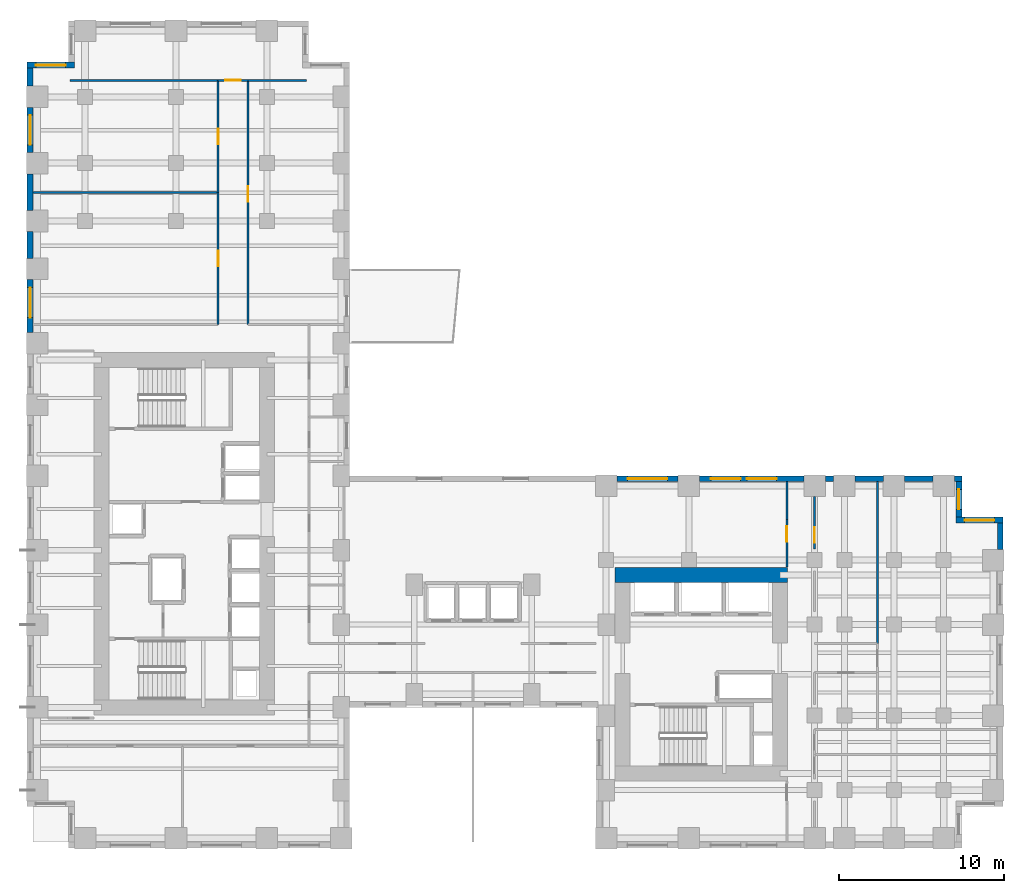
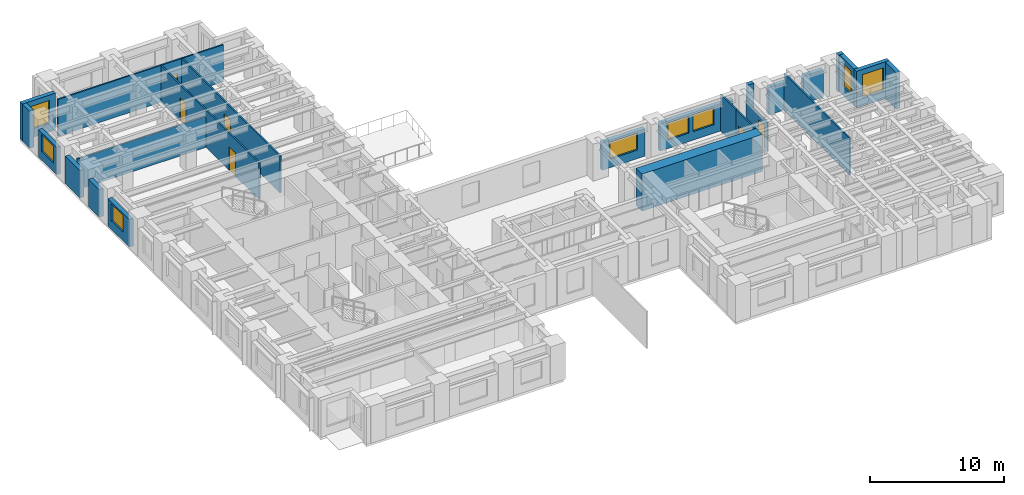
# One storey, part 8 of 11: 27 walls, 8 windows, 6 doors, 14 openings.
"""IFC4 building model written with IfcOpenShell, lengths in metres."""

from ifc_helpers import new_model, si_unit, direction, frame, frame_2d, origin, place, context, subcontext, project, spatial, rectangle, extrude, source, transform, mapped, material, layer, layer_set, type_object, element, fill, save


model = new_model("IFC4")

# Units and contexts
model_context = context("Model", 3, precision=1e-05, world=origin(), true_north=direction((0.0, 1.0)))
body_context = subcontext(model_context, "Body", "Model", "MODEL_VIEW")
ifc_project = project(units=[si_unit("LENGTHUNIT", "METRE"), si_unit("AREAUNIT", "SQUARE_METRE"), si_unit("VOLUMEUNIT", "CUBIC_METRE"), si_unit("PLANEANGLEUNIT", "RADIAN"), si_unit("MASSUNIT", "GRAM", prefix="KILO")], contexts=[model_context])

# Site, building, storey
site_placement = place(None, origin())
site = spatial("IfcSite", under=ifc_project, at=site_placement, CompositionType="ELEMENT")
building_placement = place(site_placement, origin())
building = spatial("IfcBuilding", under=site, at=building_placement, Name="Kharzan Plaza Tower", CompositionType="ELEMENT")
storey_placement = place(building_placement, frame((0.0, 0.0, 40.5)))
storey = spatial("IfcBuildingStorey", under=building, at=storey_placement, Name="L10", CompositionType="ELEMENT", Elevation=40.5)

# Wall, opening, window
ifc_material_1 = material(Name="Concrete C40/50", Category="concrete")
ifc_layer_1 = layer(ifc_material_1, 0.35009765625)
ifc_layer_set_1 = layer_set([ifc_layer_1], Name="Concrete C40/50")
wall_type_1 = type_object("IfcWallType", Name="WL-EXT-MAS-Z1", PredefinedType="SOLIDWALL", material=ifc_layer_set_1)
wall_1_placement = place(storey_placement, frame((2.85009765625, 47.324951171875, 0.0), z_axis=(0.0, 0.0, 1.0), x_axis=(-1.0, 0.0, 0.0)))
wall_1 = element("IfcWall", 1, at=wall_1_placement, inside=storey, type_object=wall_type_1, Name="L10 Masonry-Frame Exterior Wall 08", PredefinedType="SOLIDWALL", context=body_context, shape_type="SweptSolid", body=[
    extrude(rectangle(XDim=2.85009765625, YDim=0.35009765625, at=frame_2d((1.425048828125, 0.0))), origin(), (0.0, 0.0, 1.0), 3.364990234375),
])
opening_1_placement = place(wall_1_placement, frame((0.52490234375, 0.0, 0.780029296875)))
opening_1 = element("IfcOpeningElement", 2, at=opening_1_placement, cuts=wall_1, Name="Opening W1", PredefinedType="OPENING", context=body_context, shape_type="SweptSolid", body=[
    extrude(rectangle(XDim=1.800048828125, YDim=2.10009765625, at=frame_2d((0.89990234375, 1.050048828125))), frame((0.0, 0.18505859375, 0.0), z_axis=(0.0, -1.0, 0.0), x_axis=(1.0, 0.0, 0.0)), (0.0, 0.0, 1.0), 0.3701171875),
])
ifc_material_2 = material(Name="Low-E Double Glazing", Category="glass")
window_type_1 = type_object("IfcWindowType", Name="WN-REC-1800x2100", PartitioningType="SINGLE_PANEL", PredefinedType="WINDOW", material=ifc_material_2)
shared_shape_1 = source(origin(), body_context, "Body", "SweptSolid", [
    extrude(rectangle(XDim=1.800048828125, YDim=2.10009765625, at=frame_2d((0.89990234375, 1.050048828125))), frame((0.0, 0.030029296875, 0.0), z_axis=(0.0, -1.0, 0.0), x_axis=(1.0, 0.0, 0.0)), (0.0, 0.0, 1.0), 0.06005859375),
])
window_1_placement = place(opening_1_placement, origin())
window_1 = element("IfcWindow", 3, at=window_1_placement, inside=storey, type_object=window_type_1, Name="L10 Recessed Solar-Control Window 08-1", OverallHeight=2.10009765625, OverallWidth=1.800048828125, PartitioningType="SINGLE_PANEL", PredefinedType="WINDOW", context=body_context, shape_type="MappedRepresentation", body=[
    mapped(shared_shape_1, transform((0.0, 0.0, 0.0), x_axis=(1.0, 0.0, 0.0), y_axis=(0.0, 1.0, 0.0), z_axis=(0.0, 0.0, 1.0))),
])
fill(opening_1, window_1)

wall_2_placement = place(storey_placement, frame((0.175048828125, 44.751953125, 0.0), z_axis=(0.0, 0.0, 1.0), x_axis=(0.0, -1.0, 0.0)))
wall_2 = element("IfcWall", 4, at=wall_2_placement, inside=storey, type_object=wall_type_1, Name="L10 Masonry-Frame Exterior Wall 10", PredefinedType="SOLIDWALL", context=body_context, shape_type="SweptSolid", body=[
    extrude(rectangle(XDim=2.703857421875, YDim=0.35009765625, at=frame_2d((1.35205078125, 0.0))), origin(), (0.0, 0.0, 1.0), 2.510009765625),
])
opening_2_placement = place(wall_2_placement, frame((0.451904296875, 0.0, 0.780029296875)))
opening_2 = element("IfcOpeningElement", 5, at=opening_2_placement, cuts=wall_2, Name="Opening W1", PredefinedType="OPENING", context=body_context, shape_type="SweptSolid", body=[
    extrude(rectangle(XDim=1.800048828125, YDim=1.550048828125, at=frame_2d((0.89990234375, 0.77490234375))), frame((0.0, 0.18505859375, 0.0), z_axis=(0.0, -1.0, 0.0), x_axis=(1.0, 0.0, 0.0)), (0.0, 0.0, 1.0), 0.3701171875),
])
shared_shape_2 = source(origin(), body_context, "Body", "SweptSolid", [
    extrude(rectangle(XDim=1.800048828125, YDim=1.550048828125, at=frame_2d((0.89990234375, 0.77490234375))), frame((0.0, 0.030029296875, 0.0), z_axis=(0.0, -1.0, 0.0), x_axis=(1.0, 0.0, 0.0)), (0.0, 0.0, 1.0), 0.06005859375),
])
window_2_placement = place(opening_2_placement, origin())
window_2 = element("IfcWindow", 6, at=window_2_placement, inside=storey, type_object=window_type_1, Name="L10 Recessed Solar-Control Window 10-1", OverallHeight=1.550048828125, OverallWidth=1.800048828125, PartitioningType="SINGLE_PANEL", PredefinedType="WINDOW", context=body_context, shape_type="MappedRepresentation", body=[
    mapped(shared_shape_2, transform((0.0, 0.0, 0.0), x_axis=(1.0, 0.0, 0.0), y_axis=(0.0, 1.0, 0.0), z_axis=(0.0, 0.0, 1.0))),
])
fill(opening_2, window_2)

wall_3_placement = place(storey_placement, frame((0.175048828125, 34.35205078125, 0.0), z_axis=(0.0, 0.0, 1.0), x_axis=(0.0, -1.0, 0.0)))
wall_3 = element("IfcWall", 7, at=wall_3_placement, inside=storey, type_object=wall_type_1, Name="L10 Masonry-Frame Exterior Wall 13", PredefinedType="SOLIDWALL", context=body_context, shape_type="SweptSolid", body=[
    extrude(rectangle(XDim=3.2041015625, YDim=0.35009765625, at=frame_2d((1.60205078125, 0.0))), origin(), (0.0, 0.0, 1.0), 2.510009765625),
])
opening_3_placement = place(wall_3_placement, frame((0.486083984375, 0.0, 0.780029296875)))
opening_3 = element("IfcOpeningElement", 8, at=opening_3_placement, cuts=wall_3, Name="Opening W1", PredefinedType="OPENING", context=body_context, shape_type="SweptSolid", body=[
    extrude(rectangle(XDim=1.800048828125, YDim=1.550048828125, at=frame_2d((0.89990234375, 0.77490234375))), frame((0.0, 0.18505859375, 0.0), z_axis=(0.0, -1.0, 0.0), x_axis=(1.0, 0.0, 0.0)), (0.0, 0.0, 1.0), 0.3701171875),
])
window_3_placement = place(opening_3_placement, origin())
window_3 = element("IfcWindow", 9, at=window_3_placement, inside=storey, type_object=window_type_1, Name="L10 Recessed Solar-Control Window 13-1", OverallHeight=1.550048828125, OverallWidth=1.800048828125, PartitioningType="SINGLE_PANEL", PredefinedType="WINDOW", context=body_context, shape_type="MappedRepresentation", body=[
    mapped(shared_shape_2, transform((0.0, 0.0, 0.0), x_axis=(1.0, 0.0, 0.0), y_axis=(0.0, 1.0, 0.0), z_axis=(0.0, 0.0, 1.0))),
])
fill(opening_3, window_3)

wall_4_placement = place(storey_placement, frame((59.0, 19.824951171875, 0.0), z_axis=(0.0, 0.0, 1.0), x_axis=(-1.0, 0.0, 0.0)))
wall_4 = element("IfcWall", 10, at=wall_4_placement, inside=storey, type_object=wall_type_1, Name="L10 Masonry-Frame Exterior Wall 45", PredefinedType="SOLIDWALL", context=body_context, shape_type="SweptSolid", body=[
    extrude(rectangle(XDim=2.85009765625, YDim=0.35009765625, at=frame_2d((1.425048828125, 0.0))), origin(), (0.0, 0.0, 1.0), 3.364990234375),
])
opening_4_placement = place(wall_4_placement, frame((0.52490234375, 0.0, 0.780029296875)))
opening_4 = element("IfcOpeningElement", 11, at=opening_4_placement, cuts=wall_4, Name="Opening W1", PredefinedType="OPENING", context=body_context, shape_type="SweptSolid", body=[
    extrude(rectangle(XDim=1.800048828125, YDim=2.10009765625, at=frame_2d((0.89990234375, 1.050048828125))), frame((0.0, 0.18505859375, 0.0), z_axis=(0.0, -1.0, 0.0), x_axis=(1.0, 0.0, 0.0)), (0.0, 0.0, 1.0), 0.3701171875),
])
window_4_placement = place(opening_4_placement, origin())
window_4 = element("IfcWindow", 12, at=window_4_placement, inside=storey, type_object=window_type_1, Name="L10 Recessed Solar-Control Window 45-1", OverallHeight=2.10009765625, OverallWidth=1.800048828125, PartitioningType="SINGLE_PANEL", PredefinedType="WINDOW", context=body_context, shape_type="MappedRepresentation", body=[
    mapped(shared_shape_1, transform((0.0, 0.0, 0.0), x_axis=(1.0, 0.0, 0.0), y_axis=(0.0, 1.0, 0.0), z_axis=(0.0, 0.0, 1.0))),
])
fill(opening_4, window_4)

wall_5_placement = place(storey_placement, frame((56.324951171875, 19.998046875, 0.0), z_axis=(0.0, 0.0, 1.0), x_axis=(0.0, 1.0, 0.0)))
wall_5 = element("IfcWall", 13, at=wall_5_placement, inside=storey, type_object=wall_type_1, Name="L10 Masonry-Frame Exterior Wall 46", PredefinedType="SOLIDWALL", context=body_context, shape_type="SweptSolid", body=[
    extrude(rectangle(XDim=2.154052734375, YDim=0.35009765625, at=frame_2d((1.0771484375, 0.0))), origin(), (0.0, 0.0, 1.0), 3.364990234375),
])
opening_5_placement = place(wall_5_placement, frame((0.47705078125, 0.0, 0.780029296875)))
opening_5 = element("IfcOpeningElement", 14, at=opening_5_placement, cuts=wall_5, Name="Opening W3", PredefinedType="OPENING", context=body_context, shape_type="SweptSolid", body=[
    extrude(rectangle(XDim=1.199951171875, YDim=2.10009765625, at=frame_2d((0.60009765625, 1.050048828125))), frame((0.0, 0.18505859375, 0.0), z_axis=(0.0, -1.0, 0.0), x_axis=(1.0, 0.0, 0.0)), (0.0, 0.0, 1.0), 0.3701171875),
])
window_type_2 = type_object("IfcWindowType", Name="WN-REC-1200x2100", PartitioningType="SINGLE_PANEL", PredefinedType="WINDOW", material=ifc_material_2)
shared_shape_3 = source(origin(), body_context, "Body", "SweptSolid", [
    extrude(rectangle(XDim=1.199951171875, YDim=2.10009765625, at=frame_2d((0.60009765625, 1.050048828125))), frame((0.0, 0.030029296875, 0.0), z_axis=(0.0, -1.0, 0.0), x_axis=(1.0, 0.0, 0.0)), (0.0, 0.0, 1.0), 0.06005859375),
])
window_5_placement = place(opening_5_placement, origin())
window_5 = element("IfcWindow", 15, at=window_5_placement, inside=storey, type_object=window_type_2, Name="L10 Recessed Solar-Control Window 46-1", OverallHeight=2.10009765625, OverallWidth=1.199951171875, PartitioningType="SINGLE_PANEL", PredefinedType="WINDOW", context=body_context, shape_type="MappedRepresentation", body=[
    mapped(shared_shape_3, transform((0.0, 0.0, 0.0), x_axis=(1.0, 0.0, 0.0), y_axis=(0.0, 1.0, 0.0), z_axis=(0.0, 0.0, 1.0))),
])
fill(opening_5, window_5)

# Wall, openings, windows
wall_6_placement = place(storey_placement, frame((46.951904296875, 22.324951171875, 0.0), z_axis=(0.0, 0.0, 1.0), x_axis=(-1.0, 0.0, 0.0)))
wall_6 = element("IfcWall", 16, at=wall_6_placement, inside=storey, type_object=wall_type_1, Name="L10 Masonry-Frame Exterior Wall 51", PredefinedType="SOLIDWALL", context=body_context, shape_type="SweptSolid", body=[
    extrude(rectangle(XDim=6.303955078125, YDim=0.35009765625, at=frame_2d((3.15185546875, 0.0))), origin(), (0.0, 0.0, 1.0), 2.510009765625),
])
opening_6_placement = place(wall_6_placement, frame((1.6494140625, 0.0, 0.780029296875)))
opening_6 = element("IfcOpeningElement", 17, at=opening_6_placement, cuts=wall_6, Name="Opening W1", PredefinedType="OPENING", context=body_context, shape_type="SweptSolid", body=[
    extrude(rectangle(XDim=1.800048828125, YDim=1.550048828125, at=frame_2d((0.89990234375, 0.77490234375))), frame((0.0, 0.18505859375, 0.0), z_axis=(0.0, -1.0, 0.0), x_axis=(1.0, 0.0, 0.0)), (0.0, 0.0, 1.0), 0.3701171875),
])
opening_7_placement = place(wall_6_placement, frame((3.816650390625, 0.0, 0.780029296875)))
opening_7 = element("IfcOpeningElement", 18, at=opening_7_placement, cuts=wall_6, Name="Opening W1", PredefinedType="OPENING", context=body_context, shape_type="SweptSolid", body=[
    extrude(rectangle(XDim=1.800048828125, YDim=1.550048828125, at=frame_2d((0.89990234375, 0.77490234375))), frame((0.0, 0.18505859375, 0.0), z_axis=(0.0, -1.0, 0.0), x_axis=(1.0, 0.0, 0.0)), (0.0, 0.0, 1.0), 0.3701171875),
])
window_6_placement = place(opening_6_placement, origin())
window_6 = element("IfcWindow", 19, at=window_6_placement, inside=storey, type_object=window_type_1, Name="L10 Recessed Solar-Control Window 51-1", OverallHeight=1.550048828125, OverallWidth=1.800048828125, PartitioningType="SINGLE_PANEL", PredefinedType="WINDOW", context=body_context, shape_type="MappedRepresentation", body=[
    mapped(shared_shape_2, transform((0.0, 0.0, 0.0), x_axis=(1.0, 0.0, 0.0), y_axis=(0.0, 1.0, 0.0), z_axis=(0.0, 0.0, 1.0))),
])
fill(opening_6, window_6)
window_7_placement = place(opening_7_placement, origin())
window_7 = element("IfcWindow", 20, at=window_7_placement, inside=storey, type_object=window_type_1, Name="L10 Recessed Solar-Control Window 51-2", OverallHeight=1.550048828125, OverallWidth=1.800048828125, PartitioningType="SINGLE_PANEL", PredefinedType="WINDOW", context=body_context, shape_type="MappedRepresentation", body=[
    mapped(shared_shape_2, transform((0.0, 0.0, 0.0), x_axis=(1.0, 0.0, 0.0), y_axis=(0.0, 1.0, 0.0), z_axis=(0.0, 0.0, 1.0))),
])
fill(opening_7, window_7)

# Wall, opening, window
wall_7_placement = place(storey_placement, frame((39.35205078125, 22.324951171875, 0.0), z_axis=(0.0, 0.0, 1.0), x_axis=(-1.0, 0.0, 0.0)))
wall_7 = element("IfcWall", 21, at=wall_7_placement, inside=storey, type_object=wall_type_1, Name="L10 Masonry-Frame Exterior Wall 52", PredefinedType="SOLIDWALL", context=body_context, shape_type="SweptSolid", body=[
    extrude(rectangle(XDim=3.7041015625, YDim=0.35009765625, at=frame_2d((1.85205078125, 0.0))), origin(), (0.0, 0.0, 1.0), 2.510009765625),
])
opening_8_placement = place(wall_7_placement, frame((0.652099609375, 0.0, 0.780029296875)))
opening_8 = element("IfcOpeningElement", 22, at=opening_8_placement, cuts=wall_7, Name="Opening W2", PredefinedType="OPENING", context=body_context, shape_type="SweptSolid", body=[
    extrude(rectangle(XDim=2.39990234375, YDim=1.550048828125, at=frame_2d((1.199951171875, 0.77490234375))), frame((0.0, 0.18505859375, 0.0), z_axis=(0.0, -1.0, 0.0), x_axis=(1.0, 0.0, 0.0)), (0.0, 0.0, 1.0), 0.3701171875),
])
window_type_3 = type_object("IfcWindowType", Name="WN-REC-2400x2100", PartitioningType="SINGLE_PANEL", PredefinedType="WINDOW", material=ifc_material_2)
shared_shape_4 = source(origin(), body_context, "Body", "SweptSolid", [
    extrude(rectangle(XDim=2.39990234375, YDim=1.550048828125, at=frame_2d((1.199951171875, 0.77490234375))), frame((0.0, 0.030029296875, 0.0), z_axis=(0.0, -1.0, 0.0), x_axis=(1.0, 0.0, 0.0)), (0.0, 0.0, 1.0), 0.06005859375),
])
window_8_placement = place(opening_8_placement, origin())
window_8 = element("IfcWindow", 23, at=window_8_placement, inside=storey, type_object=window_type_3, Name="L10 Wide Recessed Solar-Control Window 52-1", OverallHeight=1.550048828125, OverallWidth=2.39990234375, PartitioningType="SINGLE_PANEL", PredefinedType="WINDOW", context=body_context, shape_type="MappedRepresentation", body=[
    mapped(shared_shape_4, transform((0.0, 0.0, 0.0), x_axis=(1.0, 0.0, 0.0), y_axis=(0.0, 1.0, 0.0), z_axis=(0.0, 0.0, 1.0))),
])
fill(opening_8, window_8)

# Wall, opening, door
ifc_material_3 = material(Name="Fire-Rated Gypsum Board Partition", Category="gypsum")
ifc_layer_2 = layer(ifc_material_3, 0.125)
ifc_layer_set_2 = layer_set([ifc_layer_2], Name="Fire-Rated Gypsum Board Partition")
wall_type_2 = type_object("IfcWallType", Name="WL-INT-PART-125", PredefinedType="PARTITIONING", material=ifc_layer_set_2)
wall_8_placement = place(storey_placement, frame((47.60009765625, 18.06005859375, 0.0), z_axis=(0.0, 0.0, 1.0), x_axis=(0.0, 1.0, 0.0)))
wall_8 = element("IfcWall", 24, at=wall_8_placement, inside=storey, type_object=wall_type_2, Name="L10 Interior Partition SH-B2W3D-S2", PredefinedType="PARTITIONING", context=body_context, shape_type="SweptSolid", body=[
    extrude(rectangle(XDim=3.179931640625, YDim=0.125, at=frame_2d((1.58984375, 0.0))), origin(), (0.0, 0.0, 1.0), 2.669921875),
])
opening_9_placement = place(wall_8_placement, frame((0.3876953125, 0.0, 0.0)))
opening_9 = element("IfcOpeningElement", 25, at=opening_9_placement, cuts=wall_8, Name="Opening OD1", PredefinedType="OPENING", context=body_context, shape_type="SweptSolid", body=[
    extrude(rectangle(XDim=0.949951171875, YDim=2.14990234375, at=frame_2d((0.47509765625, 1.074951171875))), frame((0.0, 0.072509765625, 0.0), z_axis=(0.0, -1.0, 0.0), x_axis=(1.0, 0.0, 0.0)), (0.0, 0.0, 1.0), 0.14501953125),
])
ifc_material_4 = material(Name="Acoustic Solid-Core Stained Oak", Category="timber")
door_type = type_object("IfcDoorType", Name="DR-OFF-SINGLE", OperationType="NOTDEFINED", PredefinedType="DOOR", material=ifc_material_4)
shared_shape_5 = source(origin(), body_context, "Body", "SweptSolid", [
    extrude(rectangle(XDim=0.949951171875, YDim=2.14990234375, at=frame_2d((0.47509765625, 1.074951171875))), frame((0.0, 0.02490234375, 0.0), z_axis=(0.0, -1.0, 0.0), x_axis=(1.0, 0.0, 0.0)), (0.0, 0.0, 1.0), 0.050048828125),
])
door_1_placement = place(opening_9_placement, origin())
door_1 = element("IfcDoor", 26, at=door_1_placement, inside=storey, type_object=door_type, Name="L10 Spur North Office Door", OperationType="SINGLE_SWING_RIGHT", OverallHeight=2.14990234375, OverallWidth=0.949951171875, PredefinedType="DOOR", context=body_context, shape_type="MappedRepresentation", body=[
    mapped(shared_shape_5, transform((0.0, 0.0, 0.0), x_axis=(1.0, 0.0, 0.0), y_axis=(0.0, 1.0, 0.0), z_axis=(0.0, 0.0, 1.0))),
])
fill(opening_9, door_1)

wall_9_placement = place(storey_placement, frame((45.919921875, 16.97998046875, 0.0), z_axis=(0.0, 0.0, 1.0), x_axis=(0.0, 1.0, 0.0)))
wall_9 = element("IfcWall", 27, at=wall_9_placement, inside=storey, type_object=wall_type_2, Name="L10 Interior Partition SH-RBNE", PredefinedType="PARTITIONING", context=body_context, shape_type="SweptSolid", body=[
    extrude(rectangle(XDim=2.8701171875, YDim=0.125, at=frame_2d((1.43505859375, 0.0))), origin(), (0.0, 0.0, 1.0), 3.364990234375),
])
opening_10_placement = place(wall_9_placement, frame((1.51708984375, 0.0, 0.0)))
opening_10 = element("IfcOpeningElement", 28, at=opening_10_placement, cuts=wall_9, Name="Opening OD1", PredefinedType="OPENING", context=body_context, shape_type="SweptSolid", body=[
    extrude(rectangle(XDim=0.949951171875, YDim=2.14990234375, at=frame_2d((0.47509765625, 1.074951171875))), frame((0.0, 0.072509765625, 0.0), z_axis=(0.0, -1.0, 0.0), x_axis=(1.0, 0.0, 0.0)), (0.0, 0.0, 1.0), 0.14501953125),
])
door_2_placement = place(opening_10_placement, origin())
door_2 = element("IfcDoor", 29, at=door_2_placement, inside=storey, type_object=door_type, Name="L10 Wing B North Studio Door", OperationType="SINGLE_SWING_RIGHT", OverallHeight=2.14990234375, OverallWidth=0.949951171875, PredefinedType="DOOR", context=body_context, shape_type="MappedRepresentation", body=[
    mapped(shared_shape_5, transform((0.0, 0.0, 0.0), x_axis=(1.0, 0.0, 0.0), y_axis=(0.0, 1.0, 0.0), z_axis=(0.0, 0.0, 1.0))),
])
fill(opening_10, door_2)

wall_10_placement = place(storey_placement, frame((13.35009765625, 31.64990234375, 0.0), z_axis=(0.0, 0.0, 1.0), x_axis=(0.0, 1.0, 0.0)))
wall_10 = element("IfcWall", 30, at=wall_10_placement, inside=storey, type_object=wall_type_2, Name="L10 Interior Partition SH-SPE-1", PredefinedType="PARTITIONING", context=body_context, shape_type="SweptSolid", body=[
    extrude(rectangle(XDim=14.75, YDim=0.125, at=frame_2d((7.375, 0.0))), origin(), (0.0, 0.0, 1.0), 3.364990234375),
])
opening_11_placement = place(wall_10_placement, frame((7.401611328125, 0.0, 0.0)))
opening_11 = element("IfcOpeningElement", 31, at=opening_11_placement, cuts=wall_10, Name="Opening OD1", PredefinedType="OPENING", context=body_context, shape_type="SweptSolid", body=[
    extrude(rectangle(XDim=0.949951171875, YDim=2.14990234375, at=frame_2d((0.47509765625, 1.074951171875))), frame((0.0, 0.072509765625, 0.0), z_axis=(0.0, -1.0, 0.0), x_axis=(1.0, 0.0, 0.0)), (0.0, 0.0, 1.0), 0.14501953125),
])
door_3_placement = place(opening_11_placement, origin())
door_3 = element("IfcDoor", 32, at=door_3_placement, inside=storey, type_object=door_type, Name="L10 Joint-Venture Negotiation Room Door", OperationType="SINGLE_SWING_RIGHT", OverallHeight=2.14990234375, OverallWidth=0.949951171875, PredefinedType="DOOR", context=body_context, shape_type="MappedRepresentation", body=[
    mapped(shared_shape_5, transform((0.0, 0.0, 0.0), x_axis=(1.0, 0.0, 0.0), y_axis=(0.0, 1.0, 0.0), z_axis=(0.0, 0.0, 1.0))),
])
fill(opening_11, door_3)

wall_11_placement = place(storey_placement, frame((11.550048828125, 46.39990234375, 0.0), z_axis=(0.0, 0.0, 1.0), x_axis=(1.0, 0.0, 0.0)))
wall_11 = element("IfcWall", 33, at=wall_11_placement, inside=storey, type_object=wall_type_2, Name="L10 Interior Partition SH-SPHD", PredefinedType="PARTITIONING", context=body_context, shape_type="SweptSolid", body=[
    extrude(rectangle(XDim=1.800048828125, YDim=0.125, at=frame_2d((0.89990234375, 0.0))), origin(), (0.0, 0.0, 1.0), 3.364990234375),
])
opening_12_placement = place(wall_11_placement, frame((0.425048828125, 0.0, 0.0)))
opening_12 = element("IfcOpeningElement", 34, at=opening_12_placement, cuts=wall_11, Name="Opening OD1", PredefinedType="OPENING", context=body_context, shape_type="SweptSolid", body=[
    extrude(rectangle(XDim=0.949951171875, YDim=2.14990234375, at=frame_2d((0.47509765625, 1.074951171875))), frame((0.0, 0.072509765625, 0.0), z_axis=(0.0, -1.0, 0.0), x_axis=(1.0, 0.0, 0.0)), (0.0, 0.0, 1.0), 0.14501953125),
])
door_4_placement = place(opening_12_placement, origin())
door_4 = element("IfcDoor", 35, at=door_4_placement, inside=storey, type_object=door_type, Name="L10 North Boardroom Door", OperationType="SINGLE_SWING_LEFT", OverallHeight=2.14990234375, OverallWidth=0.949951171875, PredefinedType="DOOR", context=body_context, shape_type="MappedRepresentation", body=[
    mapped(shared_shape_5, transform((0.0, 0.0, 0.0), x_axis=(1.0, 0.0, 0.0), y_axis=(0.0, 1.0, 0.0), z_axis=(0.0, 0.0, 1.0))),
])
fill(opening_12, door_4)

wall_12_placement = place(storey_placement, frame((11.550048828125, 31.64990234375, 0.0), z_axis=(0.0, 0.0, 1.0), x_axis=(0.0, 1.0, 0.0)))
wall_12 = element("IfcWall", 36, at=wall_12_placement, inside=storey, type_object=wall_type_2, Name="L10 Interior Partition SH-SPW-1", PredefinedType="PARTITIONING", context=body_context, shape_type="SweptSolid", body=[
    extrude(rectangle(XDim=7.965087890625, YDim=0.125, at=frame_2d((3.982421875, 0.0))), origin(), (0.0, 0.0, 1.0), 3.364990234375),
])
opening_13_placement = place(wall_12_placement, frame((3.507568359375, 0.0, 0.0)))
opening_13 = element("IfcOpeningElement", 37, at=opening_13_placement, cuts=wall_12, Name="Opening OD1", PredefinedType="OPENING", context=body_context, shape_type="SweptSolid", body=[
    extrude(rectangle(XDim=0.949951171875, YDim=2.14990234375, at=frame_2d((0.47509765625, 1.074951171875))), frame((0.0, 0.072509765625, 0.0), z_axis=(0.0, -1.0, 0.0), x_axis=(1.0, 0.0, 0.0)), (0.0, 0.0, 1.0), 0.14501953125),
])
door_5_placement = place(opening_13_placement, origin())
door_5 = element("IfcDoor", 38, at=door_5_placement, inside=storey, type_object=door_type, Name="L10 Client Advisory Meeting Room Door", OperationType="SINGLE_SWING_RIGHT", OverallHeight=2.14990234375, OverallWidth=0.949951171875, PredefinedType="DOOR", context=body_context, shape_type="MappedRepresentation", body=[
    mapped(shared_shape_5, transform((0.0, 0.0, 0.0), x_axis=(1.0, 0.0, 0.0), y_axis=(0.0, 1.0, 0.0), z_axis=(0.0, 0.0, 1.0))),
])
fill(opening_13, door_5)

wall_13_placement = place(storey_placement, frame((11.550048828125, 39.614990234375, 0.0), z_axis=(0.0, 0.0, 1.0), x_axis=(0.0, 1.0, 0.0)))
wall_13 = element("IfcWall", 39, at=wall_13_placement, inside=storey, type_object=wall_type_2, Name="L10 Interior Partition SH-SPW-2", PredefinedType="PARTITIONING", context=body_context, shape_type="SweptSolid", body=[
    extrude(rectangle(XDim=6.784912109375, YDim=0.125, at=frame_2d((3.392578125, 0.0))), origin(), (0.0, 0.0, 1.0), 3.364990234375),
])
opening_14_placement = place(wall_13_placement, frame((2.91748046875, 0.0, 0.0)))
opening_14 = element("IfcOpeningElement", 40, at=opening_14_placement, cuts=wall_13, Name="Opening OD1", PredefinedType="OPENING", context=body_context, shape_type="SweptSolid", body=[
    extrude(rectangle(XDim=0.949951171875, YDim=2.14990234375, at=frame_2d((0.47509765625, 1.074951171875))), frame((0.0, 0.072509765625, 0.0), z_axis=(0.0, -1.0, 0.0), x_axis=(1.0, 0.0, 0.0)), (0.0, 0.0, 1.0), 0.14501953125),
])
door_6_placement = place(opening_14_placement, origin())
door_6 = element("IfcDoor", 41, at=door_6_placement, inside=storey, type_object=door_type, Name="L10 Client Advisory Meeting Room Door", OperationType="SINGLE_SWING_LEFT", OverallHeight=2.14990234375, OverallWidth=0.949951171875, PredefinedType="DOOR", context=body_context, shape_type="MappedRepresentation", body=[
    mapped(shared_shape_5, transform((0.0, 0.0, 0.0), x_axis=(1.0, 0.0, 0.0), y_axis=(0.0, 1.0, 0.0), z_axis=(0.0, 0.0, 1.0))),
])
fill(opening_14, door_6)

# Walls
ifc_material_5 = material(Name="Concrete C60/75", Category="concrete")
ifc_layer_3 = layer(ifc_material_5, 0.89990234375)
ifc_layer_set_3 = layer_set([ifc_layer_3], Name="Concrete C60/75")
wall_type_3 = type_object("IfcWallType", Name="WL-CORE-900", PredefinedType="SHEAR", material=ifc_layer_set_3)
shared_shape_6 = source(origin(), body_context, "Body", "SweptSolid", [
    extrude(rectangle(XDim=10.39990234375, YDim=0.89990234375, at=frame_2d((5.199951171875, 0.0))), origin(), (0.0, 0.0, 1.0), 3.3798828125),
])
wall_14_placement = place(storey_placement, frame((35.550048828125, 16.5, 0.0), z_axis=(0.0, 0.0, 1.0), x_axis=(1.0, 0.0, 0.0)))
element("IfcWall", 42, at=wall_14_placement, inside=storey, type_object=wall_type_3, Name="L10 CORE-B north RC shear wall", PredefinedType="SHEAR", context=body_context, shape_type="MappedRepresentation", body=[
    mapped(shared_shape_6, transform((0.0, 0.0, 0.0), x_axis=(1.0, 0.0, 0.0), y_axis=(0.0, 1.0, 0.0), z_axis=(0.0, 0.0, 1.0))),
])
shared_shape_7 = source(origin(), body_context, "Body", "SweptSolid", [
    extrude(rectangle(XDim=1.10400390625, YDim=0.35009765625, at=frame_2d((0.552001953125, 0.0))), origin(), (0.0, 0.0, 1.0), 3.364990234375),
])
wall_15_placement = place(storey_placement, frame((0.175048828125, 47.152099609375, 0.0), z_axis=(0.0, 0.0, 1.0), x_axis=(0.0, -1.0, 0.0)))
element("IfcWall", 43, at=wall_15_placement, inside=storey, type_object=wall_type_1, Name="L10 Masonry-Frame Exterior Wall 09", PredefinedType="SOLIDWALL", context=body_context, shape_type="MappedRepresentation", body=[
    mapped(shared_shape_7, transform((0.0, 0.0, 0.0), x_axis=(1.0, 0.0, 0.0), y_axis=(0.0, 1.0, 0.0), z_axis=(0.0, 0.0, 1.0))),
])
shared_shape_8 = source(origin(), body_context, "Body", "SweptSolid", [
    extrude(rectangle(XDim=1.60400390625, YDim=0.35009765625, at=frame_2d((0.802001953125, 0.0))), origin(), (0.0, 0.0, 1.0), 2.510009765625),
])
wall_16_placement = place(storey_placement, frame((0.175048828125, 37.251953125, 0.0), z_axis=(0.0, 0.0, 1.0), x_axis=(0.0, -1.0, 0.0)))
element("IfcWall", 44, at=wall_16_placement, inside=storey, type_object=wall_type_1, Name="L10 Masonry-Frame Exterior Wall 12", PredefinedType="SOLIDWALL", context=body_context, shape_type="MappedRepresentation", body=[
    mapped(shared_shape_8, transform((0.0, 0.0, 0.0), x_axis=(1.0, 0.0, 0.0), y_axis=(0.0, 1.0, 0.0), z_axis=(0.0, 0.0, 1.0))),
])
shared_shape_9 = source(origin(), body_context, "Body", "SweptSolid", [
    extrude(rectangle(XDim=0.50390625, YDim=0.35009765625, at=frame_2d((0.251953125, 0.0))), origin(), (0.0, 0.0, 1.0), 3.364990234375),
])
wall_17_placement = place(storey_placement, frame((48.751953125, 22.324951171875, 0.0), z_axis=(0.0, 0.0, 1.0), x_axis=(-1.0, 0.0, 0.0)))
element("IfcWall", 45, at=wall_17_placement, inside=storey, type_object=wall_type_1, Name="L10 Masonry-Frame Exterior Wall 50", PredefinedType="SOLIDWALL", context=body_context, shape_type="MappedRepresentation", body=[
    mapped(shared_shape_9, transform((0.0, 0.0, 0.0), x_axis=(1.0, 0.0, 0.0), y_axis=(0.0, 1.0, 0.0), z_axis=(0.0, 0.0, 1.0))),
])
shared_shape_10 = source(origin(), body_context, "Body", "SweptSolid", [
    extrude(rectangle(XDim=1.703857421875, YDim=0.35009765625, at=frame_2d((0.85205078125, 0.0))), origin(), (0.0, 0.0, 1.0), 2.510009765625),
])
for number, where, z_axis, x_axis, name in (
    (46, (54.751953125, 22.324951171875, 0.0), (0.0, 0.0, 1.0), (-1.0, 0.0, 0.0), "L10 Masonry-Frame Exterior Wall 48"),
    (47, (51.751953125, 22.324951171875, 0.0), (0.0, 0.0, 1.0), (-1.0, 0.0, 0.0), "L10 Masonry-Frame Exterior Wall 49"),
):
    element("IfcWall", number, at=place(storey_placement, frame(where, z_axis=z_axis, x_axis=x_axis)), inside=storey, type_object=wall_type_1, Name=name, PredefinedType="SOLIDWALL", context=body_context, shape_type="MappedRepresentation", body=[
        mapped(shared_shape_10, transform((0.0, 0.0, 0.0), x_axis=(1.0, 0.0, 0.0), y_axis=(0.0, 1.0, 0.0), z_axis=(0.0, 0.0, 1.0))),
    ])
shared_shape_11 = source(origin(), body_context, "Body", "SweptSolid", [
    extrude(rectangle(XDim=0.451904296875, YDim=0.35009765625, at=frame_2d((0.22607421875, 0.0))), origin(), (0.0, 0.0, 1.0), 3.364990234375),
])
wall_18_placement = place(storey_placement, frame((56.5, 22.324951171875, 0.0), z_axis=(0.0, 0.0, 1.0), x_axis=(-1.0, 0.0, 0.0)))
element("IfcWall", 48, at=wall_18_placement, inside=storey, type_object=wall_type_1, Name="L10 Masonry-Frame Exterior Wall 47", PredefinedType="SOLIDWALL", context=body_context, shape_type="MappedRepresentation", body=[
    mapped(shared_shape_11, transform((0.0, 0.0, 0.0), x_axis=(1.0, 0.0, 0.0), y_axis=(0.0, 1.0, 0.0), z_axis=(0.0, 0.0, 1.0))),
])
shared_shape_12 = source(origin(), body_context, "Body", "SweptSolid", [
    extrude(rectangle(XDim=1.60400390625, YDim=0.35009765625, at=frame_2d((0.802001953125, 0.0))), origin(), (0.0, 0.0, 1.0), 3.364990234375),
])
wall_19_placement = place(storey_placement, frame((58.824951171875, 18.048095703125, 0.0), z_axis=(0.0, 0.0, 1.0), x_axis=(0.0, 1.0, 0.0)))
element("IfcWall", 49, at=wall_19_placement, inside=storey, type_object=wall_type_1, Name="L10 Masonry-Frame Exterior Wall 44", PredefinedType="SOLIDWALL", context=body_context, shape_type="MappedRepresentation", body=[
    mapped(shared_shape_12, transform((0.0, 0.0, 0.0), x_axis=(1.0, 0.0, 0.0), y_axis=(0.0, 1.0, 0.0), z_axis=(0.0, 0.0, 1.0))),
])
shared_shape_13 = source(origin(), body_context, "Body", "SweptSolid", [
    extrude(rectangle(XDim=2.203857421875, YDim=0.35009765625, at=frame_2d((1.10205078125, 0.0))), origin(), (0.0, 0.0, 1.0), 2.510009765625),
])
wall_20_placement = place(storey_placement, frame((0.175048828125, 40.751953125, 0.0), z_axis=(0.0, 0.0, 1.0), x_axis=(0.0, -1.0, 0.0)))
element("IfcWall", 50, at=wall_20_placement, inside=storey, type_object=wall_type_1, Name="L10 Masonry-Frame Exterior Wall 11", PredefinedType="SOLIDWALL", context=body_context, shape_type="MappedRepresentation", body=[
    mapped(shared_shape_13, transform((0.0, 0.0, 0.0), x_axis=(1.0, 0.0, 0.0), y_axis=(0.0, 1.0, 0.0), z_axis=(0.0, 0.0, 1.0))),
])
shared_shape_14 = source(origin(), body_context, "Body", "SweptSolid", [
    extrude(rectangle(XDim=2.2978515625, YDim=0.125, at=frame_2d((1.14892578125, 0.0))), origin(), (0.0, 0.0, 1.0), 3.364990234375),
])
wall_21_placement = place(storey_placement, frame((45.919921875, 19.85009765625, 0.0), z_axis=(0.0, 0.0, 1.0), x_axis=(0.0, 1.0, 0.0)))
element("IfcWall", 51, at=wall_21_placement, inside=storey, type_object=wall_type_2, Name="L10 Interior Partition SH-RBNE0", PredefinedType="PARTITIONING", context=body_context, shape_type="MappedRepresentation", body=[
    mapped(shared_shape_14, transform((0.0, 0.0, 0.0), x_axis=(1.0, 0.0, 0.0), y_axis=(0.0, 1.0, 0.0), z_axis=(0.0, 0.0, 1.0))),
])
shared_shape_15 = source(origin(), body_context, "Body", "SweptSolid", [
    extrude(rectangle(XDim=9.789794921875, YDim=0.125, at=frame_2d((4.89501953125, 0.0))), origin(), (0.0, 0.0, 1.0), 3.364990234375),
])
wall_22_placement = place(storey_placement, frame((51.39990234375, 12.35009765625, 0.0), z_axis=(0.0, 0.0, 1.0), x_axis=(0.0, 1.0, 0.0)))
element("IfcWall", 52, at=wall_22_placement, inside=storey, type_object=wall_type_2, Name="L10 Interior Partition SH-B2V2", PredefinedType="PARTITIONING", context=body_context, shape_type="MappedRepresentation", body=[
    mapped(shared_shape_15, transform((0.0, 0.0, 0.0), x_axis=(1.0, 0.0, 0.0), y_axis=(0.0, 1.0, 0.0), z_axis=(0.0, 0.0, 1.0))),
])
shared_shape_16 = source(origin(), body_context, "Body", "SweptSolid", [
    extrude(rectangle(XDim=3.5498046875, YDim=0.125, at=frame_2d((1.77490234375, 0.0))), origin(), (0.0, 0.0, 1.0), 3.364990234375),
])
wall_23_placement = place(storey_placement, frame((13.35009765625, 46.39990234375, 0.0), z_axis=(0.0, 0.0, 1.0), x_axis=(1.0, 0.0, 0.0)))
element("IfcWall", 53, at=wall_23_placement, inside=storey, type_object=wall_type_2, Name="L10 Interior Partition SH-SPHE", PredefinedType="PARTITIONING", context=body_context, shape_type="MappedRepresentation", body=[
    mapped(shared_shape_16, transform((0.0, 0.0, 0.0), x_axis=(1.0, 0.0, 0.0), y_axis=(0.0, 1.0, 0.0), z_axis=(0.0, 0.0, 1.0))),
])
shared_shape_17 = source(origin(), body_context, "Body", "SweptSolid", [
    extrude(rectangle(XDim=8.949951171875, YDim=0.125, at=frame_2d((4.47509765625, 0.0))), origin(), (0.0, 0.0, 1.0), 3.364990234375),
])
wall_24_placement = place(storey_placement, frame((2.60009765625, 46.39990234375, 0.0), z_axis=(0.0, 0.0, 1.0), x_axis=(1.0, 0.0, 0.0)))
element("IfcWall", 54, at=wall_24_placement, inside=storey, type_object=wall_type_2, Name="L10 Interior Partition SH-SPHW", PredefinedType="PARTITIONING", context=body_context, shape_type="MappedRepresentation", body=[
    mapped(shared_shape_17, transform((0.0, 0.0, 0.0), x_axis=(1.0, 0.0, 0.0), y_axis=(0.0, 1.0, 0.0), z_axis=(0.0, 0.0, 1.0))),
])
shared_shape_18 = source(origin(), body_context, "Body", "SweptSolid", [
    extrude(rectangle(XDim=11.197998046875, YDim=0.125, at=frame_2d((5.59912109375, 0.0))), origin(), (0.0, 0.0, 1.0), 2.827880859375),
])
wall_25_placement = place(storey_placement, frame((0.35205078125, 39.614990234375, 0.0), z_axis=(0.0, 0.0, 1.0), x_axis=(1.0, 0.0, 0.0)))
element("IfcWall", 55, at=wall_25_placement, inside=storey, type_object=wall_type_2, Name="L10 Interior Partition SH-NWH-1", PredefinedType="PARTITIONING", context=body_context, shape_type="MappedRepresentation", body=[
    mapped(shared_shape_18, transform((0.0, 0.0, 0.0), x_axis=(1.0, 0.0, 0.0), y_axis=(0.0, 1.0, 0.0), z_axis=(0.0, 0.0, 1.0))),
])

save(model, "model.ifc")
